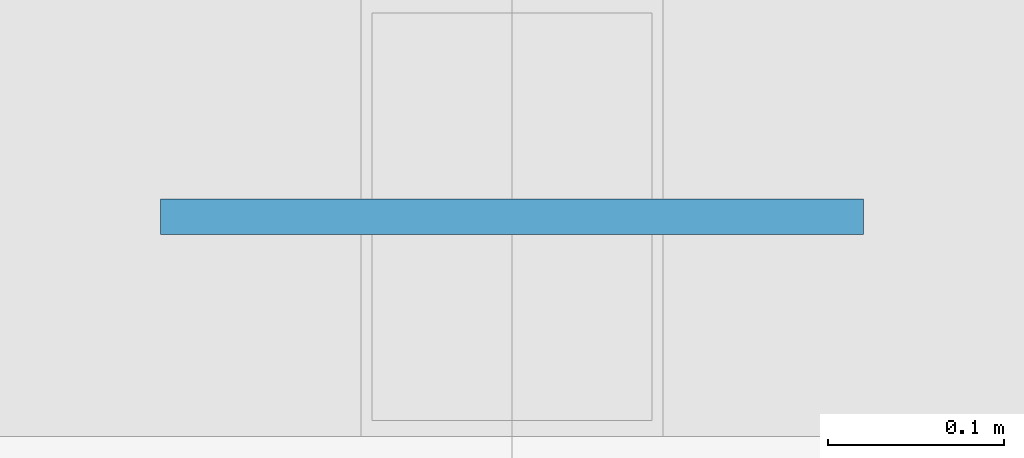
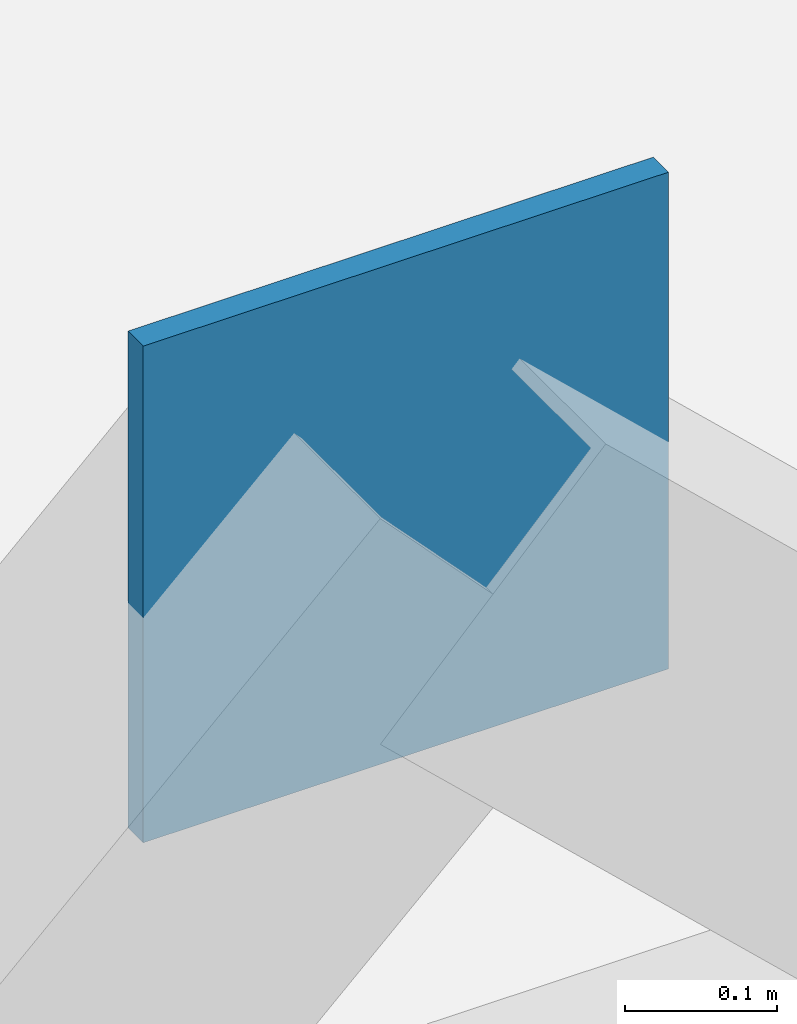
# One storey, part 65 of 130: 1 plate.
"""IFC4 building model written with IfcOpenShell, lengths in metres."""

from ifc_helpers import new_model, si_unit, direction, frame, origin, origin_2d, place, context, subcontext, project, spatial, rectangle, extrude, material, layer, layer_set, type_object, element, save


model = new_model("IFC4")

# Units and contexts
model_context = context("Model", 3, precision=1e-05, world=origin(), true_north=direction((0.0, 1.0)))
body_context = subcontext(model_context, "Body", "Model", "MODEL_VIEW")
ifc_project = project(units=[si_unit("LENGTHUNIT", "METRE"), si_unit("AREAUNIT", "SQUARE_METRE"), si_unit("VOLUMEUNIT", "CUBIC_METRE"), si_unit("PLANEANGLEUNIT", "RADIAN"), si_unit("MASSUNIT", "GRAM", prefix="KILO"), si_unit("THERMODYNAMICTEMPERATUREUNIT", "KELVIN"), si_unit("POWERUNIT", "WATT")], contexts=[model_context])

# Site, building, storey
site_placement = place(None, origin())
site = spatial("IfcSite", under=ifc_project, at=site_placement, CompositionType="ELEMENT")
building_placement = place(site_placement, origin())
building = spatial("IfcBuilding", under=site, at=building_placement, Name="Tallowbark Science Centre", CompositionType="ELEMENT")
storey_placement = place(building_placement, frame((0.0, 0.0, 5.39990234375)))
storey = spatial("IfcBuildingStorey", under=building, at=storey_placement, Name="L01", CompositionType="ELEMENT", Elevation=5.39990234375)

# Plate
ifc_material = material(Name="Structural Steel Grade 300PLUS (300 MPa)", Category="steel")
ifc_layer = layer(ifc_material, 0.02001953125)
ifc_layer_set = layer_set([ifc_layer], Name="Structural Steel Grade 300PLUS (300 MPa)")
plate_type = type_object("IfcPlateType", Name="PLT-GUS-20", PredefinedType="SHEET", material=ifc_layer_set)
plate_placement = place(storey_placement, frame((85.5, 99.0, 4.050048828125), z_axis=(0.0, 0.0, 1.0), x_axis=(1.0, 0.0, 0.0)))
element("IfcPlate", 1, at=plate_placement, inside=storey, type_object=plate_type, Name="Chevron Brace Apex Gusset CBF-LAB-N1 L01", PredefinedType="SHEET", context=body_context, shape_type="SweptSolid", body=[
    extrude(rectangle(XDim=0.39990234375, YDim=0.02001953125, at=origin_2d()), origin(), (0.0, 0.0, 1.0), 0.39990234375),
])

save(model, "model.ifc")
